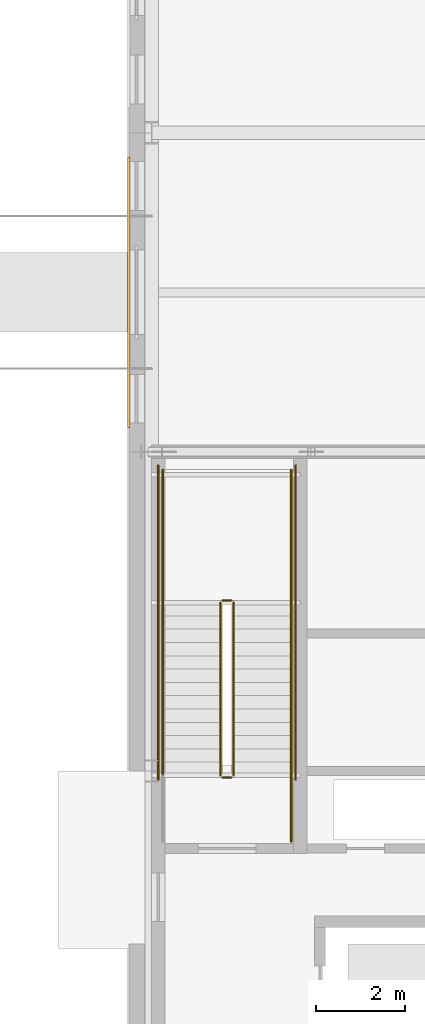
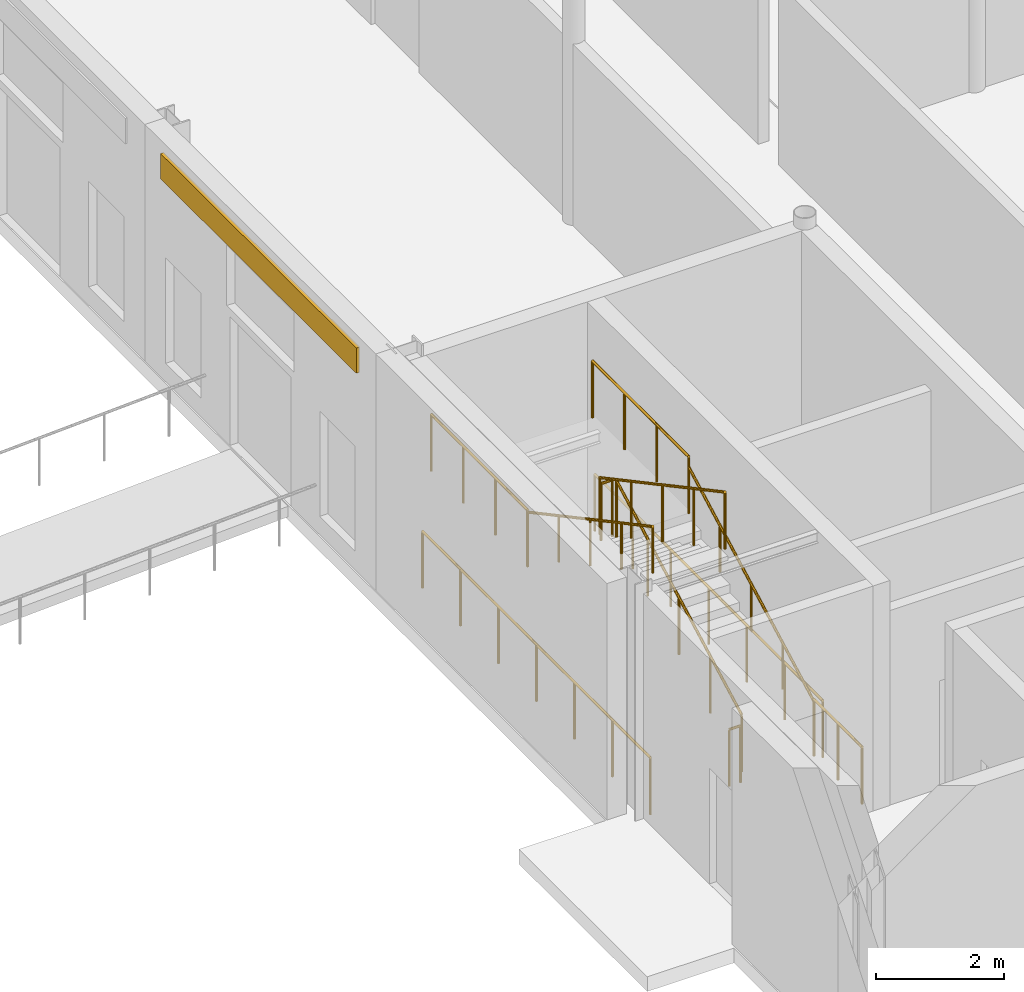
# One storey, part 86 of 92: 11 railings, 1 covering.
"""IFC4 building model written with IfcOpenShell, lengths in metres."""

from ifc_helpers import new_model, si_unit, direction, frame, origin, origin_2d, place, context, subcontext, project, spatial, rectangle, circle, extrude, material, layer, layer_set, type_object, element, save


model = new_model("IFC4")

# Units and contexts
model_context = context("Model", 3, precision=1e-05, world=origin(), true_north=direction((0.0, 1.0)))
body_context = subcontext(model_context, "Body", "Model", "MODEL_VIEW")
ifc_project = project(units=[si_unit("LENGTHUNIT", "METRE"), si_unit("AREAUNIT", "SQUARE_METRE"), si_unit("VOLUMEUNIT", "CUBIC_METRE"), si_unit("PLANEANGLEUNIT", "RADIAN"), si_unit("MASSUNIT", "GRAM", prefix="KILO")], contexts=[model_context])

# Site, building, storey
site_placement = place(None, origin())
site = spatial("IfcSite", under=ifc_project, at=site_placement, CompositionType="ELEMENT")
building_placement = place(site_placement, origin())
building = spatial("IfcBuilding", under=site, at=building_placement, Name="Zlatovets Crest Museum", CompositionType="ELEMENT")
storey_placement = place(building_placement, origin())
storey = spatial("IfcBuildingStorey", under=building, at=storey_placement, Name="L00", CompositionType="ELEMENT", Elevation=0.0)

# Covering
ifc_material_1 = material(Name="Polychrome turquoise-gold glazed majolica ceramic frieze")
ifc_layer = layer(ifc_material_1, 0.0400390625)
ifc_layer_set = layer_set([ifc_layer], Name="Polychrome turquoise-gold glazed majolica ceramic frieze")
covering_type = type_object("IfcCoveringType", Name="MajolicaFrieze_CL01", PredefinedType="CLADDING", material=ifc_layer_set)
covering_placement = place(storey_placement, frame((129.080078125, 54.0, 3.81005859375), z_axis=(0.0, 0.0, 1.0), x_axis=(0.0, 1.0, 0.0)))
element("IfcCovering", 1, at=covering_placement, inside=storey, type_object=covering_type, Name="Art Nouveau Portal Secession Archivolt Crown", PredefinedType="CLADDING", context=body_context, shape_type="SweptSolid", body=[
    extrude(rectangle(XDim=6.10009765625, YDim=0.06005859375, at=origin_2d()), origin(), (0.0, 0.0, 1.0), 0.47998046875),
])

# Railings
ifc_material_2 = material(Name="Painted steel safety guardrail", Category="steel")
railing_type_1 = type_object("IfcRailingType", Name="StairGuard_SG01", PredefinedType="GUARDRAIL", material=ifc_material_2)
railing_1_placement = place(storey_placement, frame((131.449951171875, 43.10009765625, 0.16064453125)))
element("IfcRailing", 2, at=railing_1_placement, inside=storey, type_object=railing_type_1, Name="L00 ST5 stair guard 1", PredefinedType="GUARDRAIL", context=body_context, shape_type="SweptSolid", body=[
    extrude(circle(Radius=0.02392578125, at=origin_2d()), frame((0.0, 0.0, 1.076171875), z_axis=(0.0, 0.881468485026, 0.472242850561), x_axis=(-1.0, 0.0, 0.0)), (0.0, 0.0, 1.0), 4.42431640625),
    extrude(circle(Radius=0.02099609375, at=origin_2d()), origin(), (0.0, 0.0, 1.0), 1.052001953125),
    extrude(circle(Radius=0.02099609375, at=origin_2d()), frame((0.0, 0.97509765625, 0.5224609375)), (0.0, 0.0, 1.0), 1.052001953125),
    extrude(circle(Radius=0.02099609375, at=origin_2d()), frame((0.0, 1.949951171875, 1.044677734375)), (0.0, 0.0, 1.0), 1.052001953125),
    extrude(circle(Radius=0.02099609375, at=origin_2d()), frame((0.0, 2.9248046875, 1.56689453125)), (0.0, 0.0, 1.0), 1.052001953125),
    extrude(circle(Radius=0.02099609375, at=origin_2d()), frame((0.0, 3.89990234375, 2.08935546875)), (0.0, 0.0, 1.0), 1.052001953125),
])
railing_2_placement = place(storey_placement, frame((131.39990234375, 47.050048828125, 2.25)))
element("IfcRailing", 3, at=railing_2_placement, inside=storey, type_object=railing_type_1, Name="L00 ST5 stair guard 2", PredefinedType="GUARDRAIL", context=body_context, shape_type="SweptSolid", body=[
    extrude(circle(Radius=0.02392578125, at=origin_2d()), frame((0.0, 0.0, 1.076171875), z_axis=(-1.0, 0.0, 0.0), x_axis=(0.0, -1.0, 0.0)), (0.0, 0.0, 1.0), 0.199951171875),
    extrude(circle(Radius=0.02099609375, at=origin_2d()), origin(), (0.0, 0.0, 1.0), 1.052001953125),
    extrude(circle(Radius=0.02099609375, at=origin_2d()), frame((-0.199951171875, 0.0, 0.0)), (0.0, 0.0, 1.0), 1.052001953125),
])
for number, where, name in (
    (4, (132.75, 47.0, 2.25), "L00 ST5 stair guard 3"),
    (5, (129.85009765625, 47.0, 2.25), "L00 ST5 stair guard 4"),
):
    element("IfcRailing", number, at=place(storey_placement, frame(where)), inside=storey, type_object=railing_type_1, Name=name, PredefinedType="GUARDRAIL", context=body_context, shape_type="SweptSolid", body=[
        extrude(circle(Radius=0.02392578125, at=origin_2d()), frame((0.0, 0.0, 1.076171875), z_axis=(0.0, 1.0, 0.0), x_axis=(-1.0, 0.0, 0.0)), (0.0, 0.0, 1.0), 3.0),
        extrude(circle(Radius=0.02099609375, at=origin_2d()), origin(), (0.0, 0.0, 1.0), 1.052001953125),
        extrude(circle(Radius=0.02099609375, at=origin_2d()), frame((0.0, 1.0, 0.0)), (0.0, 0.0, 1.0), 1.052001953125),
        extrude(circle(Radius=0.02099609375, at=origin_2d()), frame((0.0, 2.0, 0.0)), (0.0, 0.0, 1.0), 1.052001953125),
        extrude(circle(Radius=0.02099609375, at=origin_2d()), frame((0.0, 3.0, 0.0)), (0.0, 0.0, 1.0), 1.052001953125),
    ])
railing_3_placement = place(storey_placement, frame((131.14990234375, 47.0, 2.41064453125)))
element("IfcRailing", 6, at=railing_3_placement, inside=storey, type_object=railing_type_1, Name="L00 ST5 stair guard 5", PredefinedType="GUARDRAIL", context=body_context, shape_type="SweptSolid", body=[
    extrude(circle(Radius=0.02392578125, at=origin_2d()), frame((0.0, 0.0, 1.076171875), z_axis=(0.0, -0.881468485026, 0.472242850561), x_axis=(1.0, 0.0, 0.0)), (0.0, 0.0, 1.0), 4.42431640625),
    extrude(circle(Radius=0.02099609375, at=origin_2d()), origin(), (0.0, 0.0, 1.0), 1.052001953125),
    extrude(circle(Radius=0.02099609375, at=origin_2d()), frame((0.0, -0.97509765625, 0.5224609375)), (0.0, 0.0, 1.0), 1.052001953125),
    extrude(circle(Radius=0.02099609375, at=origin_2d()), frame((0.0, -1.949951171875, 1.044677734375)), (0.0, 0.0, 1.0), 1.052001953125),
    extrude(circle(Radius=0.02099609375, at=origin_2d()), frame((0.0, -2.9248046875, 1.56689453125)), (0.0, 0.0, 1.0), 1.052001953125),
    extrude(circle(Radius=0.02099609375, at=origin_2d()), frame((0.0, -3.89990234375, 2.08935546875)), (0.0, 0.0, 1.0), 1.052001953125),
])
railing_4_placement = place(storey_placement, frame((131.39990234375, 43.050048828125, 0.0)))
element("IfcRailing", 7, at=railing_4_placement, inside=storey, type_object=railing_type_1, Name="L00 ST5 stair guard 6", PredefinedType="GUARDRAIL", context=body_context, shape_type="SweptSolid", body=[
    extrude(circle(Radius=0.02392578125, at=origin_2d()), frame((0.0, 0.0, 1.076171875), z_axis=(-1.0, 0.0, 0.0), x_axis=(0.0, -1.0, 0.0)), (0.0, 0.0, 1.0), 0.199951171875),
    extrude(circle(Radius=0.02099609375, at=origin_2d()), origin(), (0.0, 0.0, 1.0), 1.052001953125),
    extrude(circle(Radius=0.02099609375, at=origin_2d()), frame((-0.199951171875, 0.0, 0.0)), (0.0, 0.0, 1.0), 1.052001953125),
])
railing_5_placement = place(storey_placement, frame((132.75, 41.60009765625, 0.0)))
element("IfcRailing", 8, at=railing_5_placement, inside=storey, type_object=railing_type_1, Name="L00 ST5 stair guard 7", PredefinedType="GUARDRAIL", context=body_context, shape_type="SweptSolid", body=[
    extrude(circle(Radius=0.02392578125, at=origin_2d()), frame((0.0, 0.0, 1.076171875), z_axis=(0.0, 1.0, 0.0), x_axis=(-1.0, 0.0, 0.0)), (0.0, 0.0, 1.0), 1.5),
    extrude(circle(Radius=0.02099609375, at=origin_2d()), origin(), (0.0, 0.0, 1.0), 1.052001953125),
    extrude(circle(Radius=0.02099609375, at=origin_2d()), frame((0.0, 0.75, 0.0)), (0.0, 0.0, 1.0), 1.052001953125),
    extrude(circle(Radius=0.02099609375, at=origin_2d()), frame((0.0, 1.5, 0.0)), (0.0, 0.0, 1.0), 1.052001953125),
])
for number, where, name in (
    (9, (132.85009765625, 43.0, 0.0), "L00 ST5 stair guard 9"),
    (10, (129.75, 43.0, 0.0), "L00 ST5 stair guard 10"),
):
    element("IfcRailing", number, at=place(storey_placement, frame(where)), inside=storey, type_object=railing_type_1, Name=name, PredefinedType="GUARDRAIL", context=body_context, shape_type="SweptSolid", body=[
        extrude(circle(Radius=0.02392578125, at=origin_2d()), frame((0.0, 0.0, 1.076171875), z_axis=(0.0, 1.0, 0.0), x_axis=(-1.0, 0.0, 0.0)), (0.0, 0.0, 1.0), 7.10009765625),
        extrude(circle(Radius=0.02099609375, at=origin_2d()), origin(), (0.0, 0.0, 1.0), 1.052001953125),
        extrude(circle(Radius=0.02099609375, at=origin_2d()), frame((0.0, 1.183349609375, 0.0)), (0.0, 0.0, 1.0), 1.052001953125),
        extrude(circle(Radius=0.02099609375, at=origin_2d()), frame((0.0, 2.36669921875, 0.0)), (0.0, 0.0, 1.0), 1.052001953125),
        extrude(circle(Radius=0.02099609375, at=origin_2d()), frame((0.0, 3.550048828125, 0.0)), (0.0, 0.0, 1.0), 1.052001953125),
        extrude(circle(Radius=0.02099609375, at=origin_2d()), frame((0.0, 4.7333984375, 0.0)), (0.0, 0.0, 1.0), 1.052001953125),
        extrude(circle(Radius=0.02099609375, at=origin_2d()), frame((0.0, 5.916748046875, 0.0)), (0.0, 0.0, 1.0), 1.052001953125),
        extrude(circle(Radius=0.02099609375, at=origin_2d()), frame((0.0, 7.10009765625, 0.0)), (0.0, 0.0, 1.0), 1.052001953125),
    ])
ifc_material_3 = material(Name="Brushed bronze stair handrail")
railing_type_2 = type_object("IfcRailingType", Name="StairHandrail_SH01", PredefinedType="HANDRAIL", material=ifc_material_3)
railing_6_placement = place(storey_placement, frame((132.75, 43.10009765625, 0.16064453125)))
element("IfcRailing", 11, at=railing_6_placement, inside=storey, type_object=railing_type_2, Name="L00 ST5 stair handrail 1", PredefinedType="HANDRAIL", context=body_context, shape_type="SweptSolid", body=[
    extrude(circle(Radius=0.02392578125, at=origin_2d()), frame((0.0, 0.0, 0.8759765625), z_axis=(0.0, 0.881468485026, 0.472242850561), x_axis=(-1.0, 0.0, 0.0)), (0.0, 0.0, 1.0), 4.42431640625),
    extrude(circle(Radius=0.02099609375, at=origin_2d()), origin(), (0.0, 0.0, 1.0), 0.851806640625),
    extrude(circle(Radius=0.02099609375, at=origin_2d()), frame((0.0, 0.97509765625, 0.5224609375)), (0.0, 0.0, 1.0), 0.851806640625),
    extrude(circle(Radius=0.02099609375, at=origin_2d()), frame((0.0, 1.949951171875, 1.044677734375)), (0.0, 0.0, 1.0), 0.851806640625),
    extrude(circle(Radius=0.02099609375, at=origin_2d()), frame((0.0, 2.9248046875, 1.56689453125)), (0.0, 0.0, 1.0), 0.851806640625),
    extrude(circle(Radius=0.02099609375, at=origin_2d()), frame((0.0, 3.89990234375, 2.08935546875)), (0.0, 0.0, 1.0), 0.851806640625),
])
railing_7_placement = place(storey_placement, frame((129.85009765625, 47.0, 2.41064453125)))
element("IfcRailing", 12, at=railing_7_placement, inside=storey, type_object=railing_type_2, Name="L00 ST5 stair handrail 2", PredefinedType="HANDRAIL", context=body_context, shape_type="SweptSolid", body=[
    extrude(circle(Radius=0.02392578125, at=origin_2d()), frame((0.0, 0.0, 0.8759765625), z_axis=(0.0, -0.881468485026, 0.472242850561), x_axis=(1.0, 0.0, 0.0)), (0.0, 0.0, 1.0), 4.42431640625),
    extrude(circle(Radius=0.02099609375, at=origin_2d()), origin(), (0.0, 0.0, 1.0), 0.851806640625),
    extrude(circle(Radius=0.02099609375, at=origin_2d()), frame((0.0, -0.97509765625, 0.5224609375)), (0.0, 0.0, 1.0), 0.851806640625),
    extrude(circle(Radius=0.02099609375, at=origin_2d()), frame((0.0, -1.949951171875, 1.044677734375)), (0.0, 0.0, 1.0), 0.851806640625),
    extrude(circle(Radius=0.02099609375, at=origin_2d()), frame((0.0, -2.9248046875, 1.56689453125)), (0.0, 0.0, 1.0), 0.851806640625),
    extrude(circle(Radius=0.02099609375, at=origin_2d()), frame((0.0, -3.89990234375, 2.08935546875)), (0.0, 0.0, 1.0), 0.851806640625),
])

save(model, "model.ifc")
